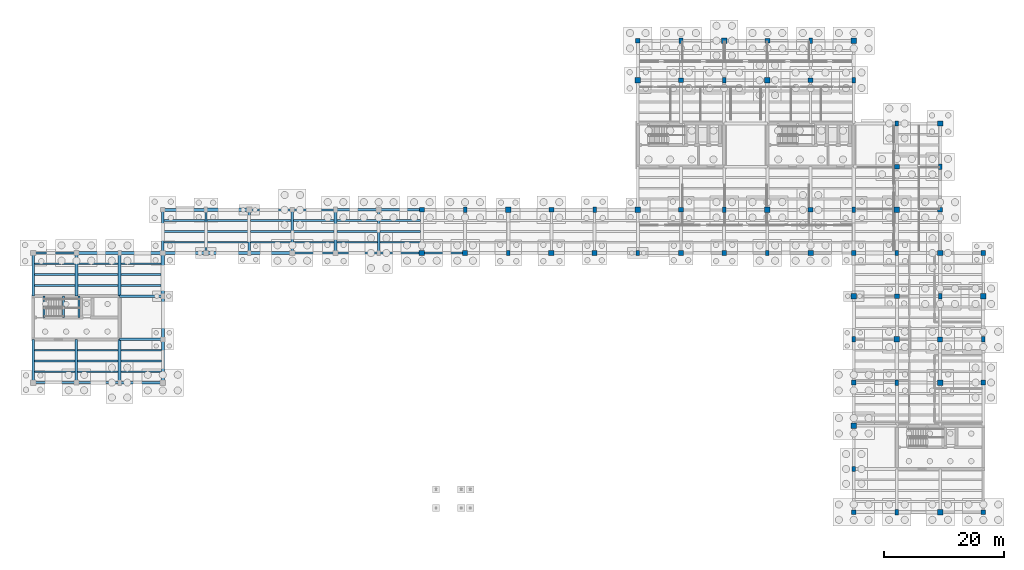
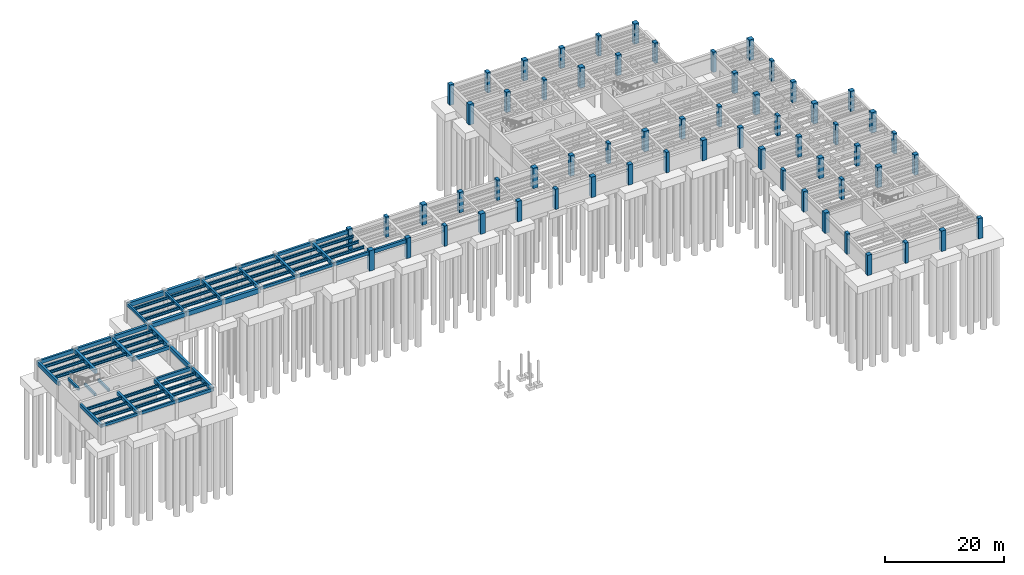
# One storey, part 7 of 22: 75 beams, 61 columns.
"""IFC4 building model written with IfcOpenShell, lengths in metres."""

import ifcopenshell
import ifcopenshell.guid

model = None  # the IFC model being written
_history = None  # IfcOwnerHistory: only IFC2X3 demands one
_inside = {}  # id of a spatial element -> (the spatial element, [elements in it])
_under = {}  # id of a project, library or spatial element -> (it, [spatial elements below it])
_declared = {}  # id of a project -> (the project, [libraries it declares])
_typed = {}  # id of a type object -> (the type object, [elements of that type])
_made_of = {}  # id of a material, layer set ... -> (it, [elements and type objects made of it])


def new_model(schema):
    """Start an empty IFC model of exactly this schema.

    Asked for "IFC4X3", IfcOpenShell would pick the latest addendum, in which some entities
    have other attributes; the version numbers below select the first issue.
    IFC2X3 requires an IfcOwnerHistory on every rooted entity: one is made here for all.
    """
    global model, _history
    if schema == "IFC4X3":
        model = ifcopenshell.file(schema_version=(4, 3, 0, 0))
    else:
        model = ifcopenshell.file(schema=schema)
    _inside.clear()
    _under.clear()
    _declared.clear()
    _typed.clear()
    _made_of.clear()
    _history = None
    if model.schema == "IFC2X3":
        org = make("IfcOrganization", Name="unknown")
        user = make(
            "IfcPersonAndOrganization",
            ThePerson=make("IfcPerson", FamilyName="unknown"),
            TheOrganization=org,
        )
        app = make(
            "IfcApplication",
            ApplicationDeveloper=org,
            Version="unknown",
            ApplicationFullName="unknown",
            ApplicationIdentifier="unknown",
        )
        _history = make(
            "IfcOwnerHistory",
            OwningUser=user,
            OwningApplication=app,
            ChangeAction="ADDED",
            CreationDate=0,
        )
    return model


def make(cls, **values):
    """One entity of the class cls with the attributes given. An attribute that is None is left unset."""
    return model.create_entity(
        cls, **{name: value for name, value in values.items() if value is not None}
    )


def rooted(cls, **values):
    """An entity with a GlobalId (a new one), such as an element, a storey or a relation."""
    return make(cls, GlobalId=ifcopenshell.guid.new(), OwnerHistory=_history, **values)


def si_unit(unit_type, name, prefix=None):
    """IfcSIUnit, for example si_unit("LENGTHUNIT", "METRE", prefix="MILLI")."""
    return make("IfcSIUnit", UnitType=unit_type, Prefix=prefix, Name=name)


def assignment(units):
    """IfcUnitAssignment: the units of a project."""
    return None if units is None else make("IfcUnitAssignment", Units=units)


def point(xyz):
    """IfcCartesianPoint."""
    return None if xyz is None else make("IfcCartesianPoint", Coordinates=xyz)


def direction(xyz):
    """IfcDirection."""
    return None if xyz is None else make("IfcDirection", DirectionRatios=xyz)


def frame(location, z_axis=None, x_axis=None):
    """IfcAxis2Placement3D, a coordinate frame: its origin and axes. An axis left out is left unset."""
    return make(
        "IfcAxis2Placement3D",
        Location=point(location),
        Axis=direction(z_axis),
        RefDirection=direction(x_axis),
    )


def frame_2d(location, x_axis=None):
    """IfcAxis2Placement2D, a coordinate frame in the plane: its origin and x axis."""
    return make(
        "IfcAxis2Placement2D", Location=point(location), RefDirection=direction(x_axis)
    )


def origin():
    """The frame at (0, 0, 0) with its axes left unset."""
    return frame((0.0, 0.0, 0.0))


def origin_2d():
    """The frame at (0, 0) in the plane with its x axis left unset."""
    return frame_2d((0.0, 0.0))


def place(relative_to, where):
    """IfcLocalPlacement: puts the frame where relative to a parent placement (None: the world)."""
    return make(
        "IfcLocalPlacement", PlacementRelTo=relative_to, RelativePlacement=where
    )


def context(
    kind, dimensions, precision=None, world=None, true_north=None, identifier=None
):
    """IfcGeometricRepresentationContext, for example the 3D "Model" context."""
    return make(
        "IfcGeometricRepresentationContext",
        ContextIdentifier=identifier,
        ContextType=kind,
        CoordinateSpaceDimension=dimensions,
        Precision=precision,
        WorldCoordinateSystem=world,
        TrueNorth=true_north,
    )


def subcontext(parent, identifier, kind, view, scale=None):
    """IfcGeometricRepresentationSubContext, for example "Body" below "Model"."""
    return make(
        "IfcGeometricRepresentationSubContext",
        ContextIdentifier=identifier,
        ContextType=kind,
        ParentContext=parent,
        TargetScale=scale,
        TargetView=view,
    )


def project(units=None, contexts=None):
    """IfcProject with its units and contexts."""
    return rooted(
        "IfcProject",
        Name="project",
        RepresentationContexts=contexts,
        UnitsInContext=assignment(units),
    )


def spatial(cls, under=None, at=None, **own):
    """A site, building, storey or space (cls), placed at a placement, below another one or the project."""
    s = rooted(cls, ObjectPlacement=at, **own)
    if under is not None:
        _under.setdefault(under.id(), (under, []))[1].append(s)
    return s


def profile(cls, at=None, kind="AREA", **sizes):
    """A parametric profile (cls). Its sizes go by their IFC names, for example OverallWidth=200.0."""
    return make(cls, ProfileType=kind, Position=at, **sizes)


def rectangle(**sizes):
    """IfcRectangleProfileDef."""
    return profile("IfcRectangleProfileDef", **sizes)


def i_section(**sizes):
    """IfcIShapeProfileDef."""
    return profile("IfcIShapeProfileDef", **sizes)


def extrude(swept, where, along, depth):
    """IfcExtrudedAreaSolid: the profile swept, set in the frame where, extruded along a direction by depth."""
    return make(
        "IfcExtrudedAreaSolid",
        SweptArea=swept,
        Position=where,
        ExtrudedDirection=direction(along),
        Depth=depth,
    )


def shape(context_of_items, identifier, shape_type, items):
    """IfcShapeRepresentation: the items that make up one representation, for example the "Body"."""
    return make(
        "IfcShapeRepresentation",
        ContextOfItems=context_of_items,
        RepresentationIdentifier=identifier,
        RepresentationType=shape_type,
        Items=items,
    )


def material(Name=None, Category=None):
    """IfcMaterial."""
    return make("IfcMaterial", Name=Name, Category=Category)


def material_profile(
    of_material, cross_section, Name=None, Category=None, Priority=None
):
    """IfcMaterialProfile: a cross section and its material."""
    return make(
        "IfcMaterialProfile",
        Name=Name,
        Material=of_material,
        Profile=cross_section,
        Priority=Priority,
        Category=Category,
    )


def profile_set(profiles, Name=None, composite=None):
    """IfcMaterialProfileSet."""
    return make(
        "IfcMaterialProfileSet",
        Name=Name,
        MaterialProfiles=profiles,
        CompositeProfile=composite,
    )


def made_of(thing, what):
    """Note that an element or type object is made of a material, layer set ...; save() writes the relation."""
    if what is not None:
        _made_of.setdefault(what.id(), (what, []))[1].append(thing)
    return thing


def type_object(cls, material=None, **own):
    """A type object (cls), such as IfcWallType, which elements share."""
    return made_of(rooted(cls, **own), material)


def element(
    cls,
    number,
    at=None,
    inside=None,
    cuts=None,
    type_object=None,
    material=None,
    context=None,
    identifier="Body",
    shape_type=None,
    held_by="IfcProductDefinitionShape",
    body=None,
    shapes=None,
    **own,
):
    """One element of the class cls, such as IfcWall. Its Tag is "e" and its number.

    at: its placement. inside: the storey or other place that contains it. cuts: it is an
    opening in that element (IfcRelVoidsElement). A single representation is given by context,
    identifier, shape_type and body (its items); several are given by shapes. held_by: the class
    of the entity that holds the representations. save() writes the other relations.
    """
    e = rooted(cls, Tag="e%d" % number, ObjectPlacement=at, **own)
    if body is not None:
        shapes = [shape(context, identifier, shape_type, body)]
    if shapes is not None:
        e.Representation = make(held_by, Representations=shapes)
    if inside is not None:
        _inside.setdefault(inside.id(), (inside, []))[1].append(e)
    if cuts is not None:
        rooted(
            "IfcRelVoidsElement", RelatingBuildingElement=cuts, RelatedOpeningElement=e
        )
    if type_object is not None:
        _typed.setdefault(type_object.id(), (type_object, []))[1].append(e)
    return made_of(e, material)


def aggregate(whole, parts):
    """IfcRelAggregates: a whole, such as a stair, and the parts it consists of."""
    return rooted("IfcRelAggregates", RelatingObject=whole, RelatedObjects=parts)


def save(model, path):
    """Write the relations noted so far, then the file.

    IfcRelAggregates (storeys below a building ...), IfcRelContainedInSpatialStructure (elements
    in a storey), IfcRelDefinesByType, IfcRelAssociatesMaterial and IfcRelDeclares: one each for
    every whole, place, type object, material and project.
    """
    for whole, parts in _under.values():
        aggregate(whole, parts)
    for where, things in _inside.values():
        rooted(
            "IfcRelContainedInSpatialStructure",
            RelatedElements=things,
            RelatingStructure=where,
        )
    for kind, things in _typed.values():
        rooted("IfcRelDefinesByType", RelatedObjects=things, RelatingType=kind)
    for what, things in _made_of.values():
        rooted("IfcRelAssociatesMaterial", RelatedObjects=things, RelatingMaterial=what)
    for by, libraries in _declared.values():
        rooted("IfcRelDeclares", RelatingContext=by, RelatedDefinitions=libraries)
    model.write(path)


model = new_model("IFC4")

# Units and contexts
model_context = context("Model", 3, precision=1e-05, world=origin(), true_north=direction((0.0, 1.0)))
body_context = subcontext(model_context, "Body", "Model", "MODEL_VIEW")
ifc_project = project(units=[si_unit("LENGTHUNIT", "METRE"), si_unit("AREAUNIT", "SQUARE_METRE"), si_unit("VOLUMEUNIT", "CUBIC_METRE"), si_unit("PLANEANGLEUNIT", "RADIAN"), si_unit("MASSUNIT", "GRAM", prefix="KILO")], contexts=[model_context])

# Site, building, storey
site_placement = place(None, origin())
site = spatial("IfcSite", under=ifc_project, at=site_placement, CompositionType="ELEMENT")
building_placement = place(site_placement, origin())
building = spatial("IfcBuilding", under=site, at=building_placement, Name="Mithqara Police Headquarters", CompositionType="ELEMENT")
storey_placement = place(building_placement, frame((0.0, 0.0, -8.39990234375)))
storey = spatial("IfcBuildingStorey", under=building, at=storey_placement, Name="B2", CompositionType="ELEMENT", Elevation=-8.39990234375)

# Columns
ifc_material_1 = material(Name="Concrete C50/60", Category="concrete")
ifc_material_profile_1 = material_profile(ifc_material_1, rectangle(XDim=0.60009765625, YDim=0.89990234375, at=origin_2d()), Name="RC 600x900")
ifc_profile_set_1 = profile_set([ifc_material_profile_1], Name="Concrete C50/60")
column_type_1 = type_object("IfcColumnType", Name="COLUMN RC600X900", PredefinedType="COLUMN", material=ifc_profile_set_1)
for number, where, z_axis, x_axis, name in (
    (1, (79.800048828125, 85.800048828125, 0.0), (0.0, 0.0, 1.0), (1.0, 0.0, 0.0), "B2 Column 12/N"),
    (2, (87.0, 78.60009765625, 0.0), (0.0, 0.0, 1.0), (1.0, 0.0, 0.0), "B2 Column 13/M"),
    (3, (101.39990234375, 85.800048828125, 0.0), (0.0, 0.0, 1.0), (1.0, 0.0, 0.0), "B2 Column 15/N"),
    (4, (108.60009765625, 78.60009765625, 0.0), (0.0, 0.0, 1.0), (1.0, 0.0, 0.0), "B2 Column 16/M"),
    (5, (115.800048828125, 114.0, 0.0), (0.0, 0.0, 1.0), (1.0, 0.0, 0.0), "B2 Column 17/S"),
    (6, (123.0, 85.800048828125, 0.0), (0.0, 0.0, 1.0), (1.0, 0.0, 0.0), "B2 Column 18/N"),
    (7, (123.0, 107.39990234375, 0.0), (0.0, 0.0, 1.0), (1.0, 0.0, 0.0), "B2 Column 18/R"),
    (8, (130.199951171875, 78.60009765625, 0.0), (0.0, 0.0, 1.0), (1.0, 0.0, 0.0), "B2 Column 19/M"),
    (9, (137.39990234375, 114.0, 0.0), (0.0, 0.0, 1.0), (1.0, 0.0, 0.0), "B2 Column 20/S"),
    (10, (144.60009765625, 42.60009765625, 0.0), (0.0, 0.0, 1.0), (1.0, 0.0, 0.0), "B2 Column 21/G"),
    (11, (144.60009765625, 64.199951171875, 0.0), (0.0, 0.0, 1.0), (1.0, 0.0, 0.0), "B2 Column 21/K"),
    (12, (144.60009765625, 85.800048828125, 0.0), (0.0, 0.0, 1.0), (1.0, 0.0, 0.0), "B2 Column 21/N"),
    (13, (144.60009765625, 107.39990234375, 0.0), (0.0, 0.0, 1.0), (1.0, 0.0, 0.0), "B2 Column 21/R"),
    (14, (151.800048828125, 35.39990234375, 0.0), (0.0, 0.0, 1.0), (1.0, 0.0, 0.0), "B2 Column 22/F"),
    (15, (151.800048828125, 57.0, 0.0), (0.0, 0.0, 1.0), (1.0, 0.0, 0.0), "B2 Column 22/J"),
    (16, (151.800048828125, 78.60009765625, 0.0), (0.0, 0.0, 1.0), (1.0, 0.0, 0.0), "B2 Column 22/M"),
    (17, (151.800048828125, 100.199951171875, 0.0), (0.0, 0.0, 1.0), (1.0, 0.0, 0.0), "B2 Column 22/Q"),
    (18, (159.0, 71.39990234375, 0.0), (0.0, 0.0, 1.0), (1.0, 0.0, 0.0), "B2 Column 23/L"),
    (19, (159.0, 93.0, 0.0), (0.0, 0.0, 1.0), (1.0, 0.0, 0.0), "B2 Column 23/P"),
    (20, (166.199951171875, 64.199951171875, 0.0), (0.0, 0.0, 1.0), (1.0, 0.0, 0.0), "B2 Column 24/K"),
):
    element("IfcColumn", number, at=place(storey_placement, frame(where, z_axis=z_axis, x_axis=x_axis)), inside=storey, type_object=column_type_1, Name=name, PredefinedType="COLUMN", context=body_context, shape_type="SweptSolid", body=[
        extrude(rectangle(XDim=0.60009765625, YDim=0.89990234375, at=origin_2d()), origin(), (0.0, 0.0, 1.0), 4.199951171875),
    ])
ifc_material_profile_2 = material_profile(ifc_material_1, rectangle(XDim=0.800048828125, YDim=0.800048828125, at=origin_2d()), Name="RC 800x800")
ifc_profile_set_2 = profile_set([ifc_material_profile_2], Name="Concrete C50/60")
column_type_2 = type_object("IfcColumnType", Name="COLUMN RC800", PredefinedType="COLUMN", material=ifc_profile_set_2)
for number, where, z_axis, x_axis, name in (
    (21, (72.60009765625, 85.800048828125, 0.0), (0.0, 0.0, 1.0), (1.0, 0.0, 0.0), "B2 Column 11/N"),
    (22, (79.800048828125, 78.60009765625, 0.0), (0.0, 0.0, 1.0), (1.0, 0.0, 0.0), "B2 Column 12/M"),
    (23, (94.199951171875, 85.800048828125, 0.0), (0.0, 0.0, 1.0), (1.0, 0.0, 0.0), "B2 Column 14/N"),
    (24, (101.39990234375, 78.60009765625, 0.0), (0.0, 0.0, 1.0), (1.0, 0.0, 0.0), "B2 Column 15/M"),
    (25, (108.60009765625, 114.0, 0.0), (0.0, 0.0, 1.0), (1.0, 0.0, 0.0), "B2 Column 16/S"),
    (26, (115.800048828125, 85.800048828125, 0.0), (0.0, 0.0, 1.0), (1.0, 0.0, 0.0), "B2 Column 17/N"),
    (27, (115.800048828125, 107.39990234375, 0.0), (0.0, 0.0, 1.0), (1.0, 0.0, 0.0), "B2 Column 17/R"),
    (28, (123.0, 78.60009765625, 0.0), (0.0, 0.0, 1.0), (1.0, 0.0, 0.0), "B2 Column 18/M"),
    (29, (130.199951171875, 114.0, 0.0), (0.0, 0.0, 1.0), (1.0, 0.0, 0.0), "B2 Column 19/S"),
    (30, (137.39990234375, 85.800048828125, 0.0), (0.0, 0.0, 1.0), (1.0, 0.0, 0.0), "B2 Column 20/N"),
    (31, (137.39990234375, 107.39990234375, 0.0), (0.0, 0.0, 1.0), (1.0, 0.0, 0.0), "B2 Column 20/R"),
    (32, (144.60009765625, 35.39990234375, 0.0), (0.0, 0.0, 1.0), (1.0, 0.0, 0.0), "B2 Column 21/F"),
    (33, (144.60009765625, 57.0, 0.0), (0.0, 0.0, 1.0), (1.0, 0.0, 0.0), "B2 Column 21/J"),
    (34, (144.60009765625, 78.60009765625, 0.0), (0.0, 0.0, 1.0), (1.0, 0.0, 0.0), "B2 Column 21/M"),
    (35, (151.800048828125, 71.39990234375, 0.0), (0.0, 0.0, 1.0), (1.0, 0.0, 0.0), "B2 Column 22/L"),
    (36, (151.800048828125, 93.0, 0.0), (0.0, 0.0, 1.0), (1.0, 0.0, 0.0), "B2 Column 22/P"),
    (37, (159.0, 64.199951171875, 0.0), (0.0, 0.0, 1.0), (1.0, 0.0, 0.0), "B2 Column 23/K"),
    (38, (159.0, 85.800048828125, 0.0), (0.0, 0.0, 1.0), (1.0, 0.0, 0.0), "B2 Column 23/N"),
    (39, (166.199951171875, 35.39990234375, 0.0), (0.0, 0.0, 1.0), (1.0, 0.0, 0.0), "B2 Column 24/F"),
    (40, (166.199951171875, 57.0, 0.0), (0.0, 0.0, 1.0), (1.0, 0.0, 0.0), "B2 Column 24/J"),
    (41, (166.199951171875, 78.60009765625, 0.0), (0.0, 0.0, 1.0), (1.0, 0.0, 0.0), "B2 Column 24/M"),
):
    element("IfcColumn", number, at=place(storey_placement, frame(where, z_axis=z_axis, x_axis=x_axis)), inside=storey, type_object=column_type_2, Name=name, PredefinedType="COLUMN", context=body_context, shape_type="SweptSolid", body=[
        extrude(rectangle(XDim=0.800048828125, YDim=0.800048828125, at=origin_2d()), origin(), (0.0, 0.0, 1.0), 4.199951171875),
    ])
ifc_material_profile_3 = material_profile(ifc_material_1, rectangle(XDim=0.89990234375, YDim=0.89990234375, at=origin_2d()), Name="RC 900x900")
ifc_profile_set_3 = profile_set([ifc_material_profile_3], Name="Concrete C50/60")
column_type_3 = type_object("IfcColumnType", Name="COLUMN RC900", PredefinedType="COLUMN", material=ifc_profile_set_3)
for number, where, z_axis, x_axis, name in (
    (42, (72.60009765625, 78.60009765625, 0.0), (0.0, 0.0, 1.0), (1.0, 0.0, 0.0), "B2 Column 11/M"),
    (43, (87.0, 85.800048828125, 0.0), (0.0, 0.0, 1.0), (1.0, 0.0, 0.0), "B2 Column 13/N"),
    (44, (94.199951171875, 78.60009765625, 0.0), (0.0, 0.0, 1.0), (1.0, 0.0, 0.0), "B2 Column 14/M"),
    (45, (108.60009765625, 85.800048828125, 0.0), (0.0, 0.0, 1.0), (1.0, 0.0, 0.0), "B2 Column 16/N"),
    (46, (108.60009765625, 107.39990234375, 0.0), (0.0, 0.0, 1.0), (1.0, 0.0, 0.0), "B2 Column 16/R"),
    (47, (115.800048828125, 78.60009765625, 0.0), (0.0, 0.0, 1.0), (1.0, 0.0, 0.0), "B2 Column 17/M"),
    (48, (123.0, 114.0, 0.0), (0.0, 0.0, 1.0), (1.0, 0.0, 0.0), "B2 Column 18/S"),
    (49, (130.199951171875, 85.800048828125, 0.0), (0.0, 0.0, 1.0), (1.0, 0.0, 0.0), "B2 Column 19/N"),
    (50, (130.199951171875, 107.39990234375, 0.0), (0.0, 0.0, 1.0), (1.0, 0.0, 0.0), "B2 Column 19/R"),
    (51, (137.39990234375, 78.60009765625, 0.0), (0.0, 0.0, 1.0), (1.0, 0.0, 0.0), "B2 Column 20/M"),
    (52, (144.60009765625, 49.800048828125, 0.0), (0.0, 0.0, 1.0), (1.0, 0.0, 0.0), "B2 Column 21/H"),
    (53, (144.60009765625, 71.39990234375, 0.0), (0.0, 0.0, 1.0), (1.0, 0.0, 0.0), "B2 Column 21/L"),
    (54, (144.60009765625, 114.0, 0.0), (0.0, 0.0, 1.0), (1.0, 0.0, 0.0), "B2 Column 21/S"),
    (55, (151.800048828125, 64.199951171875, 0.0), (0.0, 0.0, 1.0), (1.0, 0.0, 0.0), "B2 Column 22/K"),
    (56, (151.800048828125, 85.800048828125, 0.0), (0.0, 0.0, 1.0), (1.0, 0.0, 0.0), "B2 Column 22/N"),
    (57, (159.0, 35.39990234375, 0.0), (0.0, 0.0, 1.0), (1.0, 0.0, 0.0), "B2 Column 23/F"),
    (58, (159.0, 57.0, 0.0), (0.0, 0.0, 1.0), (1.0, 0.0, 0.0), "B2 Column 23/J"),
    (59, (159.0, 78.60009765625, 0.0), (0.0, 0.0, 1.0), (1.0, 0.0, 0.0), "B2 Column 23/M"),
    (60, (159.0, 100.199951171875, 0.0), (0.0, 0.0, 1.0), (1.0, 0.0, 0.0), "B2 Column 23/Q"),
    (61, (166.199951171875, 71.39990234375, 0.0), (0.0, 0.0, 1.0), (1.0, 0.0, 0.0), "B2 Column 24/L"),
):
    element("IfcColumn", number, at=place(storey_placement, frame(where, z_axis=z_axis, x_axis=x_axis)), inside=storey, type_object=column_type_3, Name=name, PredefinedType="COLUMN", context=body_context, shape_type="SweptSolid", body=[
        extrude(rectangle(XDim=0.89990234375, YDim=0.89990234375, at=origin_2d()), origin(), (0.0, 0.0, 1.0), 4.199951171875),
    ])

# Beams
ifc_material_2 = material(Name="Steel S355JR", Category="steel")
ifc_material_profile_4 = material_profile(ifc_material_2, i_section(OverallWidth=0.300048828125, OverallDepth=0.550048828125, WebThickness=0.014892578125, FlangeThickness=0.029052734375, FilletRadius=0.027099609375, at=origin_2d()), Name="HEB 550")
ifc_profile_set_4 = profile_set([ifc_material_profile_4], Name="Steel S355JR")
beam_type_1 = type_object("IfcBeamType", Name="BEAM HEB550", PredefinedType="BEAM", material=ifc_profile_set_4)
for number, where, z_axis, x_axis, name in (
    (62, (8.0, 58.800048828125, 3.625), (1.0, 0.0, 0.0), (0.0, 1.0, 0.0), "B2 Composite Steel Joist 2-3/J.1"),
    (63, (8.0, 60.60009765625, 3.625), (1.0, 0.0, 0.0), (0.0, 1.0, 0.0), "B2 Composite Steel Joist 2-3/J.2"),
    (64, (8.0, 62.39990234375, 3.625), (1.0, 0.0, 0.0), (0.0, 1.0, 0.0), "B2 Composite Steel Joist 2-3/J.3"),
):
    element("IfcBeam", number, at=place(storey_placement, frame(where, z_axis=z_axis, x_axis=x_axis)), inside=storey, type_object=beam_type_1, Name=name, PredefinedType="BEAM", context=body_context, shape_type="SweptSolid", body=[
        extrude(i_section(OverallWidth=0.300048828125, OverallDepth=0.550048828125, WebThickness=0.014892578125, FlangeThickness=0.029052734375, FilletRadius=0.027099609375, at=origin_2d()), origin(), (0.0, 0.0, 1.0), 6.77490234375),
    ])
for number, where, z_axis, x_axis, name in (
    (65, (8.02490234375, 73.199951171875, 3.625), (1.0, 0.0, 0.0), (0.0, 1.0, 0.0), "B2 Composite Steel Joist 2-3/L.1"),
    (66, (8.02490234375, 75.0, 3.625), (1.0, 0.0, 0.0), (0.0, 1.0, 0.0), "B2 Composite Steel Joist 2-3/L.2"),
    (67, (8.02490234375, 76.800048828125, 3.625), (1.0, 0.0, 0.0), (0.0, 1.0, 0.0), "B2 Composite Steel Joist 2-3/L.3"),
):
    element("IfcBeam", number, at=place(storey_placement, frame(where, z_axis=z_axis, x_axis=x_axis)), inside=storey, type_object=beam_type_1, Name=name, PredefinedType="BEAM", context=body_context, shape_type="SweptSolid", body=[
        extrude(i_section(OverallWidth=0.300048828125, OverallDepth=0.550048828125, WebThickness=0.014892578125, FlangeThickness=0.029052734375, FilletRadius=0.027099609375, at=origin_2d()), origin(), (0.0, 0.0, 1.0), 6.72509765625),
    ])
for number, where, z_axis, x_axis, name in (
    (68, (15.22509765625, 58.800048828125, 3.625), (1.0, 0.0, 0.0), (0.0, 1.0, 0.0), "B2 Composite Steel Joist 3-4/J.1"),
    (69, (15.22509765625, 60.60009765625, 3.625), (1.0, 0.0, 0.0), (0.0, 1.0, 0.0), "B2 Composite Steel Joist 3-4/J.2"),
    (70, (15.22509765625, 62.39990234375, 3.625), (1.0, 0.0, 0.0), (0.0, 1.0, 0.0), "B2 Composite Steel Joist 3-4/J.3"),
):
    element("IfcBeam", number, at=place(storey_placement, frame(where, z_axis=z_axis, x_axis=x_axis)), inside=storey, type_object=beam_type_1, Name=name, PredefinedType="BEAM", context=body_context, shape_type="SweptSolid", body=[
        extrude(i_section(OverallWidth=0.300048828125, OverallDepth=0.550048828125, WebThickness=0.014892578125, FlangeThickness=0.029052734375, FilletRadius=0.027099609375, at=origin_2d()), origin(), (0.0, 0.0, 1.0), 6.75),
    ])
for number, where, z_axis, x_axis, name in (
    (71, (15.25, 73.199951171875, 3.625), (1.0, 0.0, 0.0), (0.0, 1.0, 0.0), "B2 Composite Steel Joist 3-4/L.1"),
    (72, (15.25, 75.0, 3.625), (1.0, 0.0, 0.0), (0.0, 1.0, 0.0), "B2 Composite Steel Joist 3-4/L.2"),
    (73, (15.25, 76.800048828125, 3.625), (1.0, 0.0, 0.0), (0.0, 1.0, 0.0), "B2 Composite Steel Joist 3-4/L.3"),
):
    element("IfcBeam", number, at=place(storey_placement, frame(where, z_axis=z_axis, x_axis=x_axis)), inside=storey, type_object=beam_type_1, Name=name, PredefinedType="BEAM", context=body_context, shape_type="SweptSolid", body=[
        extrude(i_section(OverallWidth=0.300048828125, OverallDepth=0.550048828125, WebThickness=0.014892578125, FlangeThickness=0.029052734375, FilletRadius=0.027099609375, at=origin_2d()), origin(), (0.0, 0.0, 1.0), 6.699951171875),
    ])
for number, where, z_axis, x_axis, name in (
    (74, (22.425048828125, 58.800048828125, 3.625), (1.0, 0.0, 0.0), (0.0, 1.0, 0.0), "B2 Composite Steel Joist 4-5/J.1"),
    (75, (22.425048828125, 60.60009765625, 3.625), (1.0, 0.0, 0.0), (0.0, 1.0, 0.0), "B2 Composite Steel Joist 4-5/J.2"),
    (76, (22.425048828125, 62.39990234375, 3.625), (1.0, 0.0, 0.0), (0.0, 1.0, 0.0), "B2 Composite Steel Joist 4-5/J.3"),
):
    element("IfcBeam", number, at=place(storey_placement, frame(where, z_axis=z_axis, x_axis=x_axis)), inside=storey, type_object=beam_type_1, Name=name, PredefinedType="BEAM", context=body_context, shape_type="SweptSolid", body=[
        extrude(i_section(OverallWidth=0.300048828125, OverallDepth=0.550048828125, WebThickness=0.014892578125, FlangeThickness=0.029052734375, FilletRadius=0.027099609375, at=origin_2d()), origin(), (0.0, 0.0, 1.0), 6.724853515625),
    ])
for number, where, z_axis, x_axis, name in (
    (77, (22.449951171875, 73.199951171875, 3.625), (1.0, 0.0, 0.0), (0.0, 1.0, 0.0), "B2 Composite Steel Joist 4-5/L.1"),
    (78, (22.449951171875, 75.0, 3.625), (1.0, 0.0, 0.0), (0.0, 1.0, 0.0), "B2 Composite Steel Joist 4-5/L.2"),
    (79, (22.449951171875, 76.800048828125, 3.625), (1.0, 0.0, 0.0), (0.0, 1.0, 0.0), "B2 Composite Steel Joist 4-5/L.3"),
):
    element("IfcBeam", number, at=place(storey_placement, frame(where, z_axis=z_axis, x_axis=x_axis)), inside=storey, type_object=beam_type_1, Name=name, PredefinedType="BEAM", context=body_context, shape_type="SweptSolid", body=[
        extrude(i_section(OverallWidth=0.300048828125, OverallDepth=0.550048828125, WebThickness=0.014892578125, FlangeThickness=0.029052734375, FilletRadius=0.027099609375, at=origin_2d()), origin(), (0.0, 0.0, 1.0), 6.675048828125),
    ])
for number, where, z_axis, x_axis, name in (
    (80, (29.574951171875, 80.39990234375, 3.625), (1.0, 0.0, 0.0), (0.0, 1.0, 0.0), "B2 Composite Steel Joist 5-6/M.1"),
    (81, (29.574951171875, 82.199951171875, 3.625), (1.0, 0.0, 0.0), (0.0, 1.0, 0.0), "B2 Composite Steel Joist 5-6/M.2"),
    (82, (29.574951171875, 84.0, 3.625), (1.0, 0.0, 0.0), (0.0, 1.0, 0.0), "B2 Composite Steel Joist 5-6/M.3"),
):
    element("IfcBeam", number, at=place(storey_placement, frame(where, z_axis=z_axis, x_axis=x_axis)), inside=storey, type_object=beam_type_1, Name=name, PredefinedType="BEAM", context=body_context, shape_type="SweptSolid", body=[
        extrude(i_section(OverallWidth=0.300048828125, OverallDepth=0.550048828125, WebThickness=0.014892578125, FlangeThickness=0.029052734375, FilletRadius=0.027099609375, at=origin_2d()), origin(), (0.0, 0.0, 1.0), 6.85009765625),
    ])
for number, where, z_axis, x_axis, name in (
    (83, (36.77490234375, 80.39990234375, 3.625), (1.0, 0.0, 0.0), (0.0, 1.0, 0.0), "B2 Composite Steel Joist 6-7/M.1"),
    (84, (36.77490234375, 82.199951171875, 3.625), (1.0, 0.0, 0.0), (0.0, 1.0, 0.0), "B2 Composite Steel Joist 6-7/M.2"),
    (85, (36.77490234375, 84.0, 3.625), (1.0, 0.0, 0.0), (0.0, 1.0, 0.0), "B2 Composite Steel Joist 6-7/M.3"),
):
    element("IfcBeam", number, at=place(storey_placement, frame(where, z_axis=z_axis, x_axis=x_axis)), inside=storey, type_object=beam_type_1, Name=name, PredefinedType="BEAM", context=body_context, shape_type="SweptSolid", body=[
        extrude(i_section(OverallWidth=0.300048828125, OverallDepth=0.550048828125, WebThickness=0.014892578125, FlangeThickness=0.029052734375, FilletRadius=0.027099609375, at=origin_2d()), origin(), (0.0, 0.0, 1.0), 6.8251953125),
    ])
for number, where, z_axis, x_axis, name in (
    (86, (44.0, 80.39990234375, 3.625), (1.0, 0.0, 0.0), (0.0, 1.0, 0.0), "B2 Composite Steel Joist 7-8/M.1"),
    (87, (44.0, 82.199951171875, 3.625), (1.0, 0.0, 0.0), (0.0, 1.0, 0.0), "B2 Composite Steel Joist 7-8/M.2"),
    (88, (44.0, 84.0, 3.625), (1.0, 0.0, 0.0), (0.0, 1.0, 0.0), "B2 Composite Steel Joist 7-8/M.3"),
):
    element("IfcBeam", number, at=place(storey_placement, frame(where, z_axis=z_axis, x_axis=x_axis)), inside=storey, type_object=beam_type_1, Name=name, PredefinedType="BEAM", context=body_context, shape_type="SweptSolid", body=[
        extrude(i_section(OverallWidth=0.300048828125, OverallDepth=0.550048828125, WebThickness=0.014892578125, FlangeThickness=0.029052734375, FilletRadius=0.027099609375, at=origin_2d()), origin(), (0.0, 0.0, 1.0), 6.800048828125),
    ])
for number, where, z_axis, x_axis, name in (
    (89, (51.199951171875, 80.39990234375, 3.625), (1.0, 0.0, 0.0), (0.0, 1.0, 0.0), "B2 Composite Steel Joist 8-9/M.1"),
    (90, (51.199951171875, 82.199951171875, 3.625), (1.0, 0.0, 0.0), (0.0, 1.0, 0.0), "B2 Composite Steel Joist 8-9/M.2"),
    (91, (51.199951171875, 84.0, 3.625), (1.0, 0.0, 0.0), (0.0, 1.0, 0.0), "B2 Composite Steel Joist 8-9/M.3"),
):
    element("IfcBeam", number, at=place(storey_placement, frame(where, z_axis=z_axis, x_axis=x_axis)), inside=storey, type_object=beam_type_1, Name=name, PredefinedType="BEAM", context=body_context, shape_type="SweptSolid", body=[
        extrude(i_section(OverallWidth=0.300048828125, OverallDepth=0.550048828125, WebThickness=0.014892578125, FlangeThickness=0.029052734375, FilletRadius=0.027099609375, at=origin_2d()), origin(), (0.0, 0.0, 1.0), 6.775146484375),
    ])
for number, where, z_axis, x_axis, name in (
    (92, (58.425048828125, 80.39990234375, 3.625), (1.0, 0.0, 0.0), (0.0, 1.0, 0.0), "B2 Composite Steel Joist 9-10/M.1"),
    (93, (58.425048828125, 82.199951171875, 3.625), (1.0, 0.0, 0.0), (0.0, 1.0, 0.0), "B2 Composite Steel Joist 9-10/M.2"),
    (94, (58.425048828125, 84.0, 3.625), (1.0, 0.0, 0.0), (0.0, 1.0, 0.0), "B2 Composite Steel Joist 9-10/M.3"),
):
    element("IfcBeam", number, at=place(storey_placement, frame(where, z_axis=z_axis, x_axis=x_axis)), inside=storey, type_object=beam_type_1, Name=name, PredefinedType="BEAM", context=body_context, shape_type="SweptSolid", body=[
        extrude(i_section(OverallWidth=0.300048828125, OverallDepth=0.550048828125, WebThickness=0.014892578125, FlangeThickness=0.029052734375, FilletRadius=0.027099609375, at=origin_2d()), origin(), (0.0, 0.0, 1.0), 6.75),
    ])
for number, where, z_axis, x_axis, name in (
    (95, (65.625, 80.39990234375, 3.625), (1.0, 0.0, 0.0), (0.0, 1.0, 0.0), "B2 Composite Steel Joist 10-11/M.1"),
    (96, (65.625, 82.199951171875, 3.625), (1.0, 0.0, 0.0), (0.0, 1.0, 0.0), "B2 Composite Steel Joist 10-11/M.2"),
    (97, (65.625, 84.0, 3.625), (1.0, 0.0, 0.0), (0.0, 1.0, 0.0), "B2 Composite Steel Joist 10-11/M.3"),
):
    element("IfcBeam", number, at=place(storey_placement, frame(where, z_axis=z_axis, x_axis=x_axis)), inside=storey, type_object=beam_type_1, Name=name, PredefinedType="BEAM", context=body_context, shape_type="SweptSolid", body=[
        extrude(i_section(OverallWidth=0.300048828125, OverallDepth=0.550048828125, WebThickness=0.014892578125, FlangeThickness=0.029052734375, FilletRadius=0.027099609375, at=origin_2d()), origin(), (0.0, 0.0, 1.0), 6.72509765625),
    ])
ifc_material_3 = material(Name="Concrete C40/50", Category="concrete")
ifc_material_profile_5 = material_profile(ifc_material_3, rectangle(XDim=0.35009765625, YDim=0.550048828125, at=origin_2d()), Name="RC 350x550")
ifc_profile_set_5 = profile_set([ifc_material_profile_5], Name="Concrete C40/50")
beam_type_2 = type_object("IfcBeamType", Name="BEAM RC350X550", PredefinedType="BEAM", material=ifc_profile_set_5)
for number, where, z_axis, x_axis, name in (
    (98, (7.800048828125, 57.0, 3.625), (1.0, 0.0, 0.0), (0.0, 1.0, 0.0), "B2 Girder 2-3/J"),
    (99, (29.39990234375, 78.60009765625, 3.625), (0.0, 1.0, 0.0), (-1.0, 0.0, 0.0), "B2 Girder 5/M-N"),
    (100, (43.800048828125, 85.800048828125, 3.625), (1.0, 0.0, 0.0), (0.0, 1.0, 0.0), "B2 Girder 7-8/N"),
    (101, (51.0, 78.60009765625, 3.625), (1.0, 0.0, 0.0), (0.0, 1.0, 0.0), "B2 Girder 8-9/M"),
):
    element("IfcBeam", number, at=place(storey_placement, frame(where, z_axis=z_axis, x_axis=x_axis)), inside=storey, type_object=beam_type_2, Name=name, PredefinedType="BEAM", context=body_context, shape_type="SweptSolid", body=[
        extrude(rectangle(XDim=0.35009765625, YDim=0.550048828125, at=origin_2d()), origin(), (0.0, 0.0, 1.0), 7.199951171875),
    ])
for number, where, z_axis, x_axis, name in (
    (102, (12.830078125, 67.820068359375, 1.635009765625), (0.0, 1.0, 0.0), (-1.0, 0.0, 0.0), "B2 ST-03 Half-Landing Bearer LF"),
    (103, (15.449951171875, 67.820068359375, 1.635009765625), (0.0, 1.0, 0.0), (-1.0, 0.0, 0.0), "B2 ST-03 Half-Landing Bearer LB"),
    (104, (9.576904296875, 67.820068359375, 3.9248046875), (0.0, 1.0, 0.0), (-1.0, 0.0, 0.0), "B2 ST-03 Stairwell Trimmer Beam"),
):
    element("IfcBeam", number, at=place(storey_placement, frame(where, z_axis=z_axis, x_axis=x_axis)), inside=storey, type_object=beam_type_2, Name=name, PredefinedType="BEAM", context=body_context, shape_type="SweptSolid", body=[
        extrude(rectangle(XDim=0.35009765625, YDim=0.550048828125, at=origin_2d()), origin(), (0.0, 0.0, 1.0), 3.579833984375),
    ])
ifc_material_profile_6 = material_profile(ifc_material_3, rectangle(XDim=0.35009765625, YDim=0.60009765625, at=origin_2d()), Name="RC 350x600")
ifc_profile_set_6 = profile_set([ifc_material_profile_6], Name="Concrete C40/50")
beam_type_3 = type_object("IfcBeamType", Name="BEAM RC350X600", PredefinedType="BEAM", material=ifc_profile_set_6)
for number, where, z_axis, x_axis, name in (
    (105, (15.0, 57.0, 3.599853515625), (1.0, 0.0, 0.0), (0.0, 1.0, 0.0), "B2 Girder 3-4/J"),
    (106, (36.60009765625, 78.60009765625, 3.599853515625), (0.0, 1.0, 0.0), (-1.0, 0.0, 0.0), "B2 Girder 6/M-N"),
    (107, (51.0, 85.800048828125, 3.599853515625), (1.0, 0.0, 0.0), (0.0, 1.0, 0.0), "B2 Girder 8-9/N"),
    (108, (58.199951171875, 78.60009765625, 3.599853515625), (1.0, 0.0, 0.0), (0.0, 1.0, 0.0), "B2 Girder 9-10/M"),
):
    element("IfcBeam", number, at=place(storey_placement, frame(where, z_axis=z_axis, x_axis=x_axis)), inside=storey, type_object=beam_type_3, Name=name, PredefinedType="BEAM", context=body_context, shape_type="SweptSolid", body=[
        extrude(rectangle(XDim=0.35009765625, YDim=0.60009765625, at=origin_2d()), origin(), (0.0, 0.0, 1.0), 7.199951171875),
    ])
ifc_material_profile_7 = material_profile(ifc_material_3, rectangle(XDim=0.39990234375, YDim=0.64990234375, at=origin_2d()), Name="RC 400x650")
ifc_profile_set_7 = profile_set([ifc_material_profile_7], Name="Concrete C40/50")
beam_type_4 = type_object("IfcBeamType", Name="BEAM RC400X650", PredefinedType="BEAM", material=ifc_profile_set_7)
for number, where, z_axis, x_axis, name in (
    (109, (22.199951171875, 57.0, 3.574951171875), (1.0, 0.0, 0.0), (0.0, 1.0, 0.0), "B2 Girder 4-5/J"),
    (110, (43.800048828125, 78.60009765625, 3.574951171875), (0.0, 1.0, 0.0), (-1.0, 0.0, 0.0), "B2 Girder 7/M-N"),
    (111, (58.199951171875, 85.800048828125, 3.574951171875), (1.0, 0.0, 0.0), (0.0, 1.0, 0.0), "B2 Girder 9-10/N"),
):
    element("IfcBeam", number, at=place(storey_placement, frame(where, z_axis=z_axis, x_axis=x_axis)), inside=storey, type_object=beam_type_4, Name=name, PredefinedType="BEAM", context=body_context, shape_type="SweptSolid", body=[
        extrude(rectangle(XDim=0.39990234375, YDim=0.64990234375, at=origin_2d()), origin(), (0.0, 0.0, 1.0), 7.199951171875),
    ])
beam_1_placement = place(storey_placement, frame((65.39990234375, 78.60009765625, 3.574951171875), z_axis=(1.0, 0.0, 0.0), x_axis=(0.0, 1.0, 0.0)))
element("IfcBeam", 112, at=beam_1_placement, inside=storey, type_object=beam_type_4, Name="B2 Girder 10-11/M", PredefinedType="BEAM", context=body_context, shape_type="SweptSolid", body=[
    extrude(rectangle(XDim=0.39990234375, YDim=0.64990234375, at=origin_2d()), origin(), (0.0, 0.0, 1.0), 7.2001953125),
])
ifc_material_profile_8 = material_profile(ifc_material_3, rectangle(XDim=0.39990234375, YDim=0.75, at=origin_2d()), Name="RC 400x750")
ifc_profile_set_8 = profile_set([ifc_material_profile_8], Name="Concrete C40/50")
beam_type_5 = type_object("IfcBeamType", Name="BEAM RC400X750", PredefinedType="BEAM", material=ifc_profile_set_8)
for number, where, z_axis, x_axis, name in (
    (113, (7.800048828125, 57.0, 3.52490234375), (0.0, 1.0, 0.0), (-1.0, 0.0, 0.0), "B2 Girder 2/J-K"),
    (114, (7.800048828125, 78.60009765625, 3.52490234375), (1.0, 0.0, 0.0), (0.0, 1.0, 0.0), "B2 Girder 2-3/M"),
    (115, (22.199951171875, 64.199951171875, 3.52490234375), (1.0, 0.0, 0.0), (0.0, 1.0, 0.0), "B2 Girder 4-5/K"),
    (116, (51.0, 78.60009765625, 3.52490234375), (0.0, 1.0, 0.0), (-1.0, 0.0, 0.0), "B2 Girder 8/M-N"),
):
    element("IfcBeam", number, at=place(storey_placement, frame(where, z_axis=z_axis, x_axis=x_axis)), inside=storey, type_object=beam_type_5, Name=name, PredefinedType="BEAM", context=body_context, shape_type="SweptSolid", body=[
        extrude(rectangle(XDim=0.39990234375, YDim=0.75, at=origin_2d()), origin(), (0.0, 0.0, 1.0), 7.199951171875),
    ])
beam_2_placement = place(storey_placement, frame((65.39990234375, 85.800048828125, 3.52490234375), z_axis=(1.0, 0.0, 0.0), x_axis=(0.0, 1.0, 0.0)))
element("IfcBeam", 117, at=beam_2_placement, inside=storey, type_object=beam_type_5, Name="B2 Girder 10-11/N", PredefinedType="BEAM", context=body_context, shape_type="SweptSolid", body=[
    extrude(rectangle(XDim=0.39990234375, YDim=0.75, at=origin_2d()), origin(), (0.0, 0.0, 1.0), 7.2001953125),
])
beam_3_placement = place(storey_placement, frame((72.60009765625, 78.60009765625, 3.52490234375), z_axis=(1.0, 0.0, 0.0), x_axis=(0.0, 1.0, 0.0)))
element("IfcBeam", 118, at=beam_3_placement, inside=storey, type_object=beam_type_5, Name="B2 Girder 11-12/M", PredefinedType="BEAM", context=body_context, shape_type="SweptSolid", body=[
    extrude(rectangle(XDim=0.39990234375, YDim=0.75, at=origin_2d()), origin(), (0.0, 0.0, 1.0), 7.199951171875),
])
ifc_material_profile_9 = material_profile(ifc_material_3, rectangle(XDim=0.449951171875, YDim=0.699951171875, at=origin_2d()), Name="RC 450x700")
ifc_profile_set_9 = profile_set([ifc_material_profile_9], Name="Concrete C40/50")
beam_type_6 = type_object("IfcBeamType", Name="BEAM RC450X700", PredefinedType="BEAM", material=ifc_profile_set_9)
for number, where, z_axis, x_axis, name in (
    (119, (15.0, 57.0, 3.5498046875), (0.0, 1.0, 0.0), (-1.0, 0.0, 0.0), "B2 Girder 3/J-K"),
    (120, (15.0, 78.60009765625, 3.5498046875), (1.0, 0.0, 0.0), (0.0, 1.0, 0.0), "B2 Girder 3-4/M"),
    (121, (22.199951171875, 71.39990234375, 3.5498046875), (1.0, 0.0, 0.0), (0.0, 1.0, 0.0), "B2 Girder 4-5/L"),
    (122, (58.199951171875, 78.60009765625, 3.5498046875), (0.0, 1.0, 0.0), (-1.0, 0.0, 0.0), "B2 Girder 9/M-N"),
):
    element("IfcBeam", number, at=place(storey_placement, frame(where, z_axis=z_axis, x_axis=x_axis)), inside=storey, type_object=beam_type_6, Name=name, PredefinedType="BEAM", context=body_context, shape_type="SweptSolid", body=[
        extrude(rectangle(XDim=0.449951171875, YDim=0.699951171875, at=origin_2d()), origin(), (0.0, 0.0, 1.0), 7.199951171875),
    ])
ifc_material_profile_10 = material_profile(ifc_material_3, rectangle(XDim=0.449951171875, YDim=0.800048828125, at=origin_2d()), Name="RC 450x800")
ifc_profile_set_10 = profile_set([ifc_material_profile_10], Name="Concrete C40/50")
beam_type_7 = type_object("IfcBeamType", Name="BEAM RC450X800", PredefinedType="BEAM", material=ifc_profile_set_10)
beam_4_placement = place(storey_placement, frame((7.800048828125, 71.39990234375, 3.5), z_axis=(0.0, 1.0, 0.0), x_axis=(-1.0, 0.0, 0.0)))
element("IfcBeam", 123, at=beam_4_placement, inside=storey, type_object=beam_type_7, Name="B2 Girder 2/L-M", PredefinedType="BEAM", context=body_context, shape_type="SweptSolid", body=[
    extrude(rectangle(XDim=0.449951171875, YDim=0.800048828125, at=origin_2d()), origin(), (0.0, 0.0, 1.0), 7.2001953125),
])
for number, where, z_axis, x_axis, name in (
    (124, (22.199951171875, 57.0, 3.5), (0.0, 1.0, 0.0), (-1.0, 0.0, 0.0), "B2 Girder 4/J-K"),
    (125, (22.199951171875, 78.60009765625, 3.5), (1.0, 0.0, 0.0), (0.0, 1.0, 0.0), "B2 Girder 4-5/M"),
    (126, (65.39990234375, 78.60009765625, 3.5), (0.0, 1.0, 0.0), (-1.0, 0.0, 0.0), "B2 Girder 10/M-N"),
):
    element("IfcBeam", number, at=place(storey_placement, frame(where, z_axis=z_axis, x_axis=x_axis)), inside=storey, type_object=beam_type_7, Name=name, PredefinedType="BEAM", context=body_context, shape_type="SweptSolid", body=[
        extrude(rectangle(XDim=0.449951171875, YDim=0.800048828125, at=origin_2d()), origin(), (0.0, 0.0, 1.0), 7.199951171875),
    ])
ifc_material_profile_11 = material_profile(ifc_material_3, rectangle(XDim=0.5, YDim=0.85009765625, at=origin_2d()), Name="RC 500x850")
ifc_profile_set_11 = profile_set([ifc_material_profile_11], Name="Concrete C40/50")
beam_type_8 = type_object("IfcBeamType", Name="BEAM RC500X850", PredefinedType="BEAM", material=ifc_profile_set_11)
beam_5_placement = place(storey_placement, frame((15.0, 71.39990234375, 3.474853515625), z_axis=(0.0, 1.0, 0.0), x_axis=(-1.0, 0.0, 0.0)))
element("IfcBeam", 127, at=beam_5_placement, inside=storey, type_object=beam_type_8, Name="B2 Girder 3/L-M", PredefinedType="BEAM", context=body_context, shape_type="SweptSolid", body=[
    extrude(rectangle(XDim=0.5, YDim=0.85009765625, at=origin_2d()), origin(), (0.0, 0.0, 1.0), 7.2001953125),
])
beam_6_placement = place(storey_placement, frame((29.39990234375, 57.0, 3.474853515625), z_axis=(0.0, 1.0, 0.0), x_axis=(-1.0, 0.0, 0.0)))
element("IfcBeam", 128, at=beam_6_placement, inside=storey, type_object=beam_type_8, Name="B2 Girder 5/J-K", PredefinedType="BEAM", context=body_context, shape_type="SweptSolid", body=[
    extrude(rectangle(XDim=0.5, YDim=0.85009765625, at=origin_2d()), origin(), (0.0, 0.0, 1.0), 7.199951171875),
])
beam_7_placement = place(storey_placement, frame((29.39990234375, 78.60009765625, 3.474853515625), z_axis=(1.0, 0.0, 0.0), x_axis=(0.0, 1.0, 0.0)))
element("IfcBeam", 129, at=beam_7_placement, inside=storey, type_object=beam_type_8, Name="B2 Girder 5-6/M", PredefinedType="BEAM", context=body_context, shape_type="SweptSolid", body=[
    extrude(rectangle(XDim=0.5, YDim=0.85009765625, at=origin_2d()), origin(), (0.0, 0.0, 1.0), 7.2001953125),
])
ifc_material_profile_12 = material_profile(ifc_material_1, rectangle(XDim=0.5, YDim=0.89990234375, at=origin_2d()), Name="RC 500x900")
ifc_profile_set_12 = profile_set([ifc_material_profile_12], Name="Concrete C50/60")
beam_type_9 = type_object("IfcBeamType", Name="BEAM RC500X900", PredefinedType="BEAM", material=ifc_profile_set_12)
beam_8_placement = place(storey_placement, frame((22.199951171875, 71.39990234375, 3.449951171875), z_axis=(0.0, 1.0, 0.0), x_axis=(-1.0, 0.0, 0.0)))
element("IfcBeam", 130, at=beam_8_placement, inside=storey, type_object=beam_type_9, Name="B2 Girder 4/L-M", PredefinedType="BEAM", context=body_context, shape_type="SweptSolid", body=[
    extrude(rectangle(XDim=0.5, YDim=0.89990234375, at=origin_2d()), origin(), (0.0, 0.0, 1.0), 7.2001953125),
])
beam_9_placement = place(storey_placement, frame((29.39990234375, 64.199951171875, 3.449951171875), z_axis=(0.0, 1.0, 0.0), x_axis=(-1.0, 0.0, 0.0)))
element("IfcBeam", 131, at=beam_9_placement, inside=storey, type_object=beam_type_9, Name="B2 Girder 5/K-L", PredefinedType="BEAM", context=body_context, shape_type="SweptSolid", body=[
    extrude(rectangle(XDim=0.5, YDim=0.89990234375, at=origin_2d()), origin(), (0.0, 0.0, 1.0), 7.199951171875),
])
beam_10_placement = place(storey_placement, frame((29.39990234375, 85.800048828125, 3.449951171875), z_axis=(1.0, 0.0, 0.0), x_axis=(0.0, 1.0, 0.0)))
element("IfcBeam", 132, at=beam_10_placement, inside=storey, type_object=beam_type_9, Name="B2 Girder 5-6/N", PredefinedType="BEAM", context=body_context, shape_type="SweptSolid", body=[
    extrude(rectangle(XDim=0.5, YDim=0.89990234375, at=origin_2d()), origin(), (0.0, 0.0, 1.0), 7.2001953125),
])
beam_11_placement = place(storey_placement, frame((36.60009765625, 78.60009765625, 3.449951171875), z_axis=(1.0, 0.0, 0.0), x_axis=(0.0, 1.0, 0.0)))
element("IfcBeam", 133, at=beam_11_placement, inside=storey, type_object=beam_type_9, Name="B2 Girder 6-7/M", PredefinedType="BEAM", context=body_context, shape_type="SweptSolid", body=[
    extrude(rectangle(XDim=0.5, YDim=0.89990234375, at=origin_2d()), origin(), (0.0, 0.0, 1.0), 7.199951171875),
])
ifc_material_profile_13 = material_profile(ifc_material_1, rectangle(XDim=0.550048828125, YDim=1.0, at=origin_2d()), Name="RC 550x1000")
ifc_profile_set_13 = profile_set([ifc_material_profile_13], Name="Concrete C50/60")
beam_type_10 = type_object("IfcBeamType", Name="BEAM RC550X1000", PredefinedType="BEAM", material=ifc_profile_set_13)
beam_12_placement = place(storey_placement, frame((29.39990234375, 71.39990234375, 3.39990234375), z_axis=(0.0, 1.0, 0.0), x_axis=(-1.0, 0.0, 0.0)))
element("IfcBeam", 134, at=beam_12_placement, inside=storey, type_object=beam_type_10, Name="B2 Girder 5/L-M", PredefinedType="BEAM", context=body_context, shape_type="SweptSolid", body=[
    extrude(rectangle(XDim=0.550048828125, YDim=1.0, at=origin_2d()), origin(), (0.0, 0.0, 1.0), 7.2001953125),
])
for number, where, z_axis, x_axis, name in (
    (135, (36.60009765625, 85.800048828125, 3.39990234375), (1.0, 0.0, 0.0), (0.0, 1.0, 0.0), "B2 Girder 6-7/N"),
    (136, (43.800048828125, 78.60009765625, 3.39990234375), (1.0, 0.0, 0.0), (0.0, 1.0, 0.0), "B2 Girder 7-8/M"),
):
    element("IfcBeam", number, at=place(storey_placement, frame(where, z_axis=z_axis, x_axis=x_axis)), inside=storey, type_object=beam_type_10, Name=name, PredefinedType="BEAM", context=body_context, shape_type="SweptSolid", body=[
        extrude(rectangle(XDim=0.550048828125, YDim=1.0, at=origin_2d()), origin(), (0.0, 0.0, 1.0), 7.199951171875),
    ])

save(model, "model.ifc")
